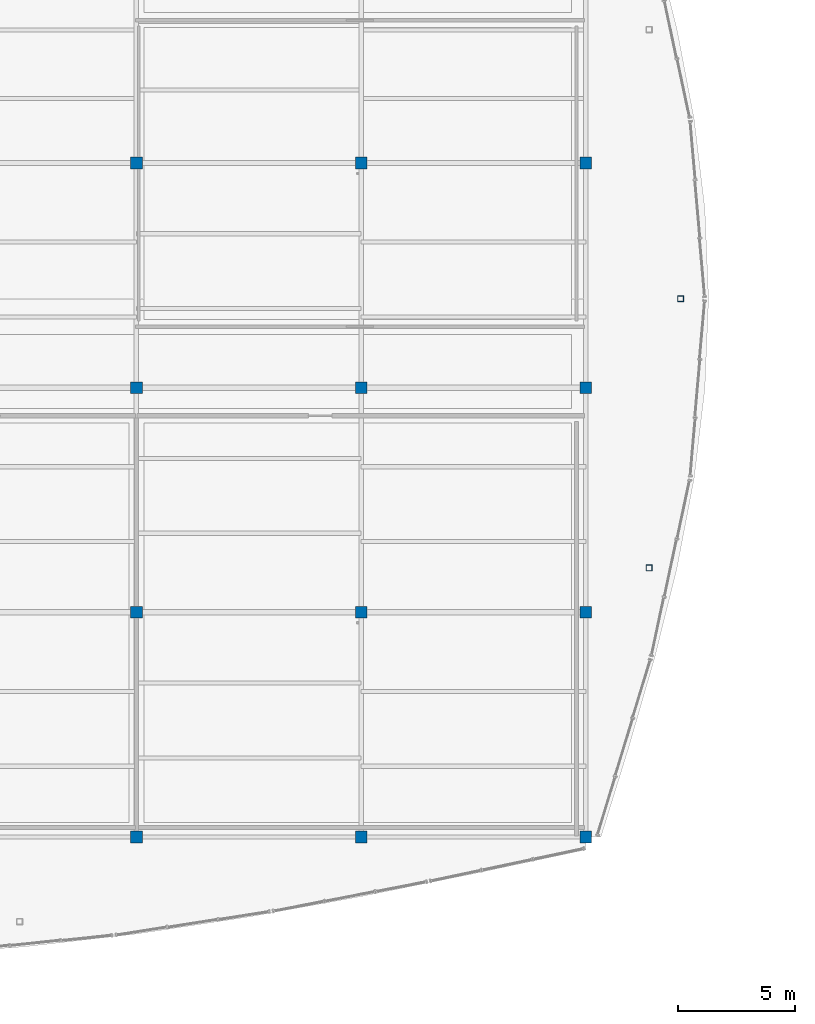
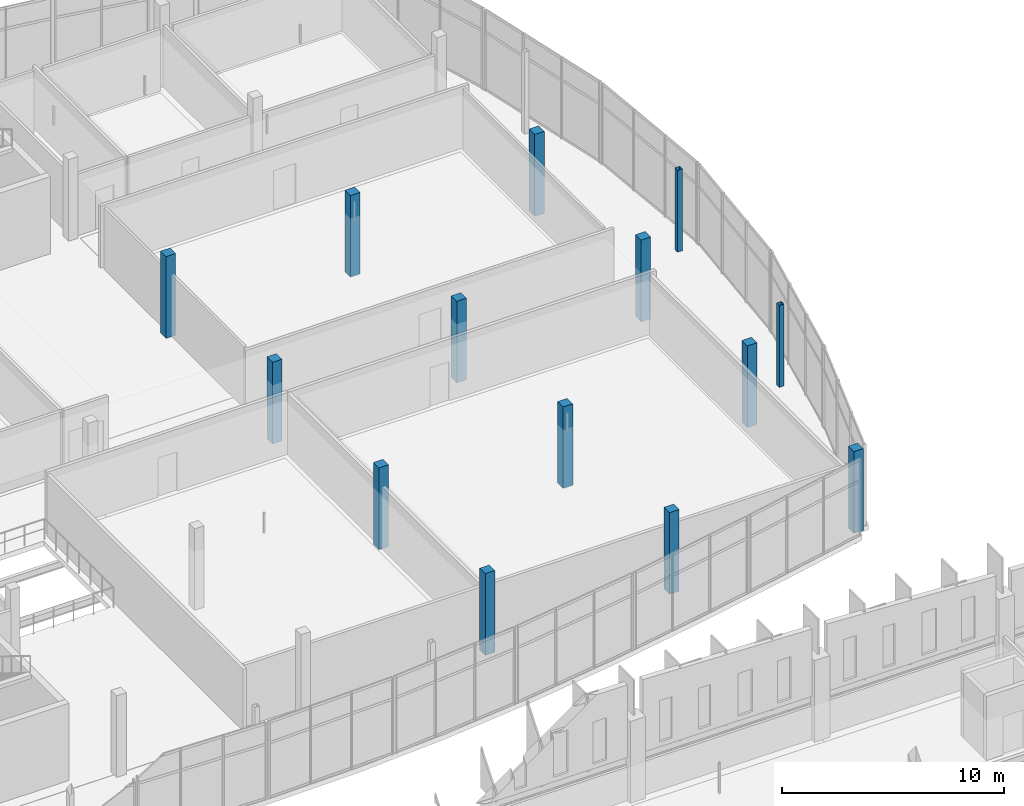
# One storey, part 10 of 114: 14 columns.
"""IFC4 building model written with IfcOpenShell, lengths in metres."""

from ifc_helpers import new_model, si_unit, direction, frame, origin, origin_2d, place, context, subcontext, project, spatial, rectangle, hollow_rectangle, extrude, material, material_profile, profile_set, type_object, element, save


model = new_model("IFC4")

# Units and contexts
model_context = context("Model", 3, precision=1e-05, world=origin(), true_north=direction((0.0, 1.0)))
body_context = subcontext(model_context, "Body", "Model", "MODEL_VIEW")
ifc_project = project(units=[si_unit("LENGTHUNIT", "METRE"), si_unit("AREAUNIT", "SQUARE_METRE"), si_unit("VOLUMEUNIT", "CUBIC_METRE"), si_unit("PLANEANGLEUNIT", "RADIAN"), si_unit("MASSUNIT", "GRAM", prefix="KILO")], contexts=[model_context])

# Site, building, storey
site_placement = place(None, origin())
site = spatial("IfcSite", under=ifc_project, at=site_placement, CompositionType="ELEMENT")
building_placement = place(site_placement, origin())
building = spatial("IfcBuilding", under=site, at=building_placement, Name="Chalmorin Arch Market", CompositionType="ELEMENT")
storey_placement = place(building_placement, frame((0.0, 0.0, 9.60009765625)))
storey = spatial("IfcBuildingStorey", under=building, at=storey_placement, Name="L02", CompositionType="ELEMENT", Elevation=9.60009765625)

# Columns
ifc_material_1 = material(Name="Steel A500 Grade C", Category="steel")
ifc_material_profile_1 = material_profile(ifc_material_1, hollow_rectangle(XDim=0.25390625, YDim=0.25390625, WallThickness=0.01171875, at=origin_2d()), Name="HSS10X10X1/2")
ifc_profile_set_1 = profile_set([ifc_material_profile_1], Name="Steel A500 Grade C")
column_type_1 = type_object("IfcColumnType", Name="SteelTubeColumn-HSS10X10", PredefinedType="COLUMN", material=ifc_profile_set_1)
for number, where, z_axis, x_axis, name in (
    (1, (117.903076171875, 83.5, 0.0), (0.0, 0.0, 1.0), (1.0, 0.0, 0.0), "C-HS2-738"),
    (2, (119.25, 95.0, 0.0), (0.0, 0.0, 1.0), (1.0, 0.0, 0.0), "C-HS2-742"),
):
    element("IfcColumn", number, at=place(storey_placement, frame(where, z_axis=z_axis, x_axis=x_axis)), inside=storey, type_object=column_type_1, Name=name, PredefinedType="COLUMN", context=body_context, shape_type="SweptSolid", body=[
        extrude(hollow_rectangle(XDim=0.25390625, YDim=0.25390625, WallThickness=0.01171875, at=origin_2d()), origin(), (0.0, 0.0, 1.0), 4.5),
    ])
ifc_material_2 = material(Name="Concrete C40/50", Category="concrete")
ifc_material_profile_2 = material_profile(ifc_material_2, rectangle(XDim=0.5, YDim=0.5, at=origin_2d()), Name="RC500X500")
ifc_profile_set_2 = profile_set([ifc_material_profile_2], Name="Concrete C40/50")
column_type_2 = type_object("IfcColumnType", Name="UpperConcreteColumn-500x500", PredefinedType="COLUMN", material=ifc_profile_set_2)
for number, where, z_axis, x_axis, name in (
    (3, (96.0, 72.0, 0.0), (0.0, 0.0, 1.0), (1.0, 0.0, 0.0), "C-RC3-503"),
    (4, (96.0, 81.60009765625, 0.0), (0.0, 0.0, 1.0), (1.0, 0.0, 0.0), "C-RC3-508"),
    (5, (96.0, 91.199951171875, 0.0), (0.0, 0.0, 1.0), (1.0, 0.0, 0.0), "C-RC3-513"),
    (6, (96.0, 100.800048828125, 0.0), (0.0, 0.0, 1.0), (1.0, 0.0, 0.0), "C-RC3-518"),
    (7, (105.60009765625, 72.0, 0.0), (0.0, 0.0, 1.0), (1.0, 0.0, 0.0), "C-RC3-558"),
    (8, (105.60009765625, 81.60009765625, 0.0), (0.0, 0.0, 1.0), (1.0, 0.0, 0.0), "C-RC3-563"),
    (9, (105.60009765625, 91.199951171875, 0.0), (0.0, 0.0, 1.0), (1.0, 0.0, 0.0), "C-RC3-568"),
    (10, (105.60009765625, 100.800048828125, 0.0), (0.0, 0.0, 1.0), (1.0, 0.0, 0.0), "C-RC3-573"),
    (11, (115.199951171875, 72.0, 0.0), (0.0, 0.0, 1.0), (1.0, 0.0, 0.0), "C-RC3-613"),
    (12, (115.199951171875, 81.60009765625, 0.0), (0.0, 0.0, 1.0), (1.0, 0.0, 0.0), "C-RC3-618"),
    (13, (115.199951171875, 91.199951171875, 0.0), (0.0, 0.0, 1.0), (1.0, 0.0, 0.0), "C-RC3-623"),
    (14, (115.199951171875, 100.800048828125, 0.0), (0.0, 0.0, 1.0), (1.0, 0.0, 0.0), "C-RC3-628"),
):
    element("IfcColumn", number, at=place(storey_placement, frame(where, z_axis=z_axis, x_axis=x_axis)), inside=storey, type_object=column_type_2, Name=name, PredefinedType="COLUMN", context=body_context, shape_type="SweptSolid", body=[
        extrude(rectangle(XDim=0.5, YDim=0.5, at=origin_2d()), origin(), (0.0, 0.0, 1.0), 4.5),
    ])

save(model, "model.ifc")
